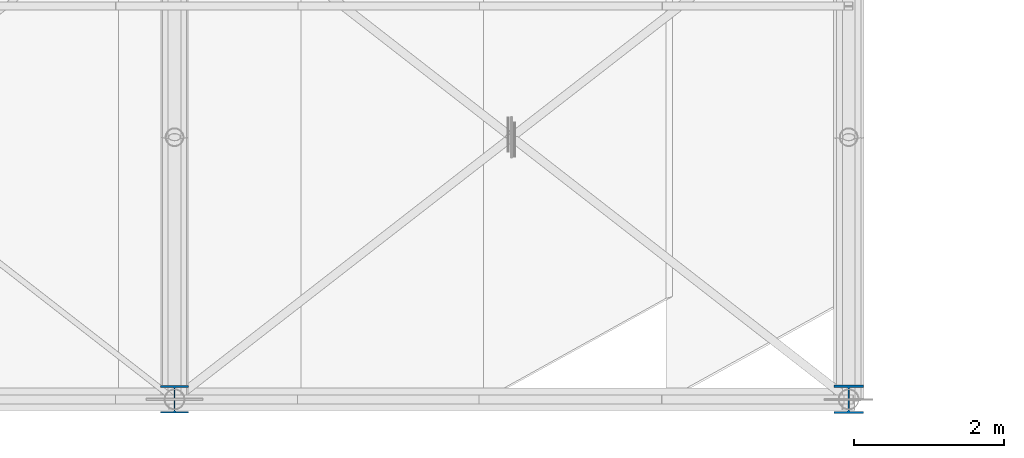
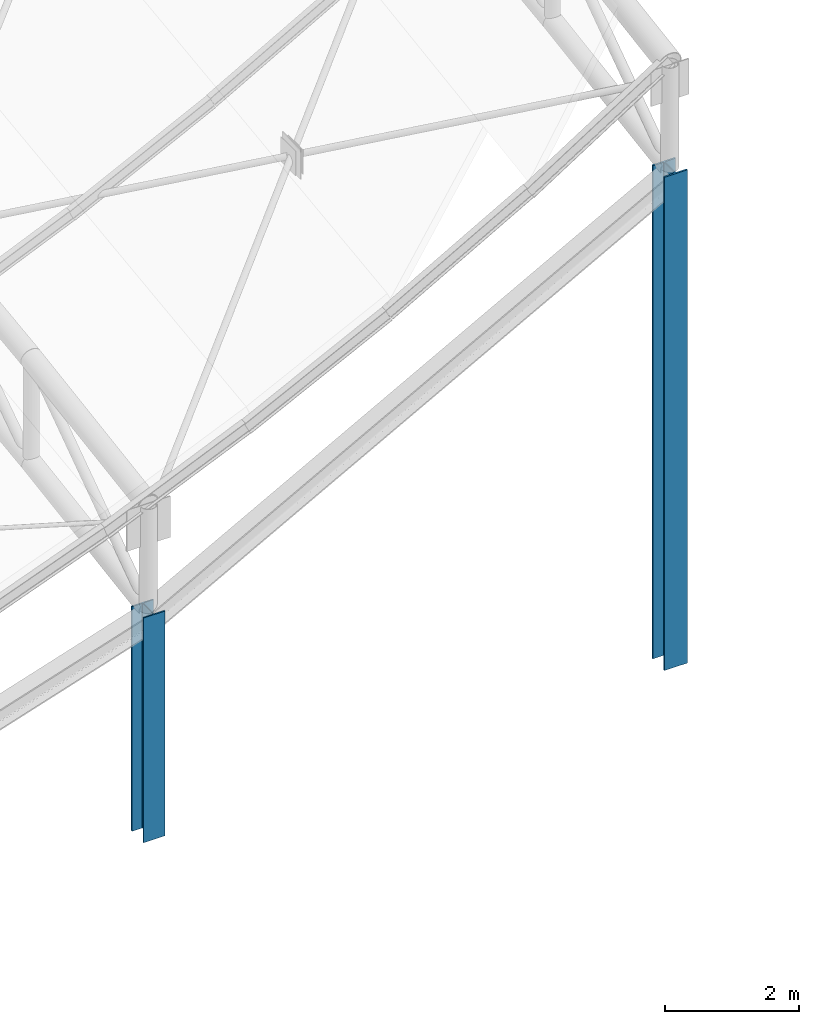
# One storey, part 2 of 262: 2 columns.
"""IFC4 building model written with IfcOpenShell, lengths in metres."""

from ifc_helpers import new_model, si_unit, derived_unit, direction, frame, origin, origin_2d, place, context, subcontext, project, spatial, i_section, extrude, material, material_profile, profile_set, type_object, element, save


model = new_model("IFC4")

# Units and contexts
model_context = context("Model", 3, precision=1e-05, world=origin(), true_north=direction((0.0, 1.0)))
body_context = subcontext(model_context, "Body", "Model", "MODEL_VIEW")
ifc_project = project(units=[si_unit("LENGTHUNIT", "METRE"), si_unit("AREAUNIT", "SQUARE_METRE"), si_unit("VOLUMEUNIT", "CUBIC_METRE"), si_unit("PLANEANGLEUNIT", "RADIAN"), si_unit("MASSUNIT", "GRAM", prefix="KILO"), derived_unit("THERMALTRANSMITTANCEUNIT", [(si_unit("POWERUNIT", "WATT"), 1), (si_unit("LENGTHUNIT", "METRE"), -2), (si_unit("THERMODYNAMICTEMPERATUREUNIT", "KELVIN"), -1)])], contexts=[model_context])

# Site, building, storey
site_placement = place(None, origin())
site = spatial("IfcSite", under=ifc_project, at=site_placement, CompositionType="ELEMENT")
building_placement = place(site_placement, origin())
building = spatial("IfcBuilding", under=site, at=building_placement, Name="Almenara Railside Exhibition Hall", CompositionType="ELEMENT")
storey_placement = place(building_placement, frame((0.0, 0.0, 21.699951171875)))
storey = spatial("IfcBuildingStorey", under=building, at=storey_placement, Name="RF", CompositionType="ELEMENT", Elevation=21.699951171875)

# Columns
ifc_material = material(Name="Structural steel S355JR", Category="steel")
ifc_material_profile_1 = material_profile(ifc_material, i_section(OverallWidth=0.37255859375, OverallDepth=0.3681640625, WebThickness=0.014404296875, FlangeThickness=0.023681640625, FilletRadius=0.01513671875, at=origin_2d()), Name="UC 356x368x177")
ifc_profile_set_1 = profile_set([ifc_material_profile_1], Name="Structural steel S355JR")
column_type_1 = type_object("IfcColumnType", Name="Steel Column UC 356x368x177 S355JR", PredefinedType="COLUMN", material=ifc_profile_set_1)
column_1_placement = place(storey_placement, frame((57.0, 0.0, -10.0), z_axis=(0.0, 0.0, 1.0), x_axis=(1.0, 0.0, 0.0)))
element("IfcColumn", 1, at=column_1_placement, inside=storey, type_object=column_type_1, Name="V4 scroll portal column 7", PredefinedType="COLUMN", context=body_context, shape_type="SweptSolid", body=[
    extrude(i_section(OverallWidth=0.37255859375, OverallDepth=0.3681640625, WebThickness=0.014404296875, FlangeThickness=0.023681640625, FilletRadius=0.01513671875, at=origin_2d()), origin(), (0.0, 0.0, 1.0), 4.100830078125),
])
ifc_material_profile_2 = material_profile(ifc_material, i_section(OverallWidth=0.394775390625, OverallDepth=0.381103515625, WebThickness=0.018310546875, FlangeThickness=0.0302734375, FilletRadius=0.01513671875, at=origin_2d()), Name="UC 356x406x235")
ifc_profile_set_2 = profile_set([ifc_material_profile_2], Name="Structural steel S355JR")
column_type_2 = type_object("IfcColumnType", Name="Steel Column UC 356x406x235 S355JR", PredefinedType="COLUMN", material=ifc_profile_set_2)
column_2_placement = place(storey_placement, frame((66.0, 0.0, -10.0), z_axis=(0.0, 0.0, 1.0), x_axis=(1.0, 0.0, 0.0)))
element("IfcColumn", 2, at=column_2_placement, inside=storey, type_object=column_type_2, Name="V4 scroll portal column 8", PredefinedType="COLUMN", context=body_context, shape_type="SweptSolid", body=[
    extrude(i_section(OverallWidth=0.394775390625, OverallDepth=0.381103515625, WebThickness=0.018310546875, FlangeThickness=0.0302734375, FilletRadius=0.01513671875, at=origin_2d()), origin(), (0.0, 0.0, 1.0), 9.0),
])

save(model, "model.ifc")
